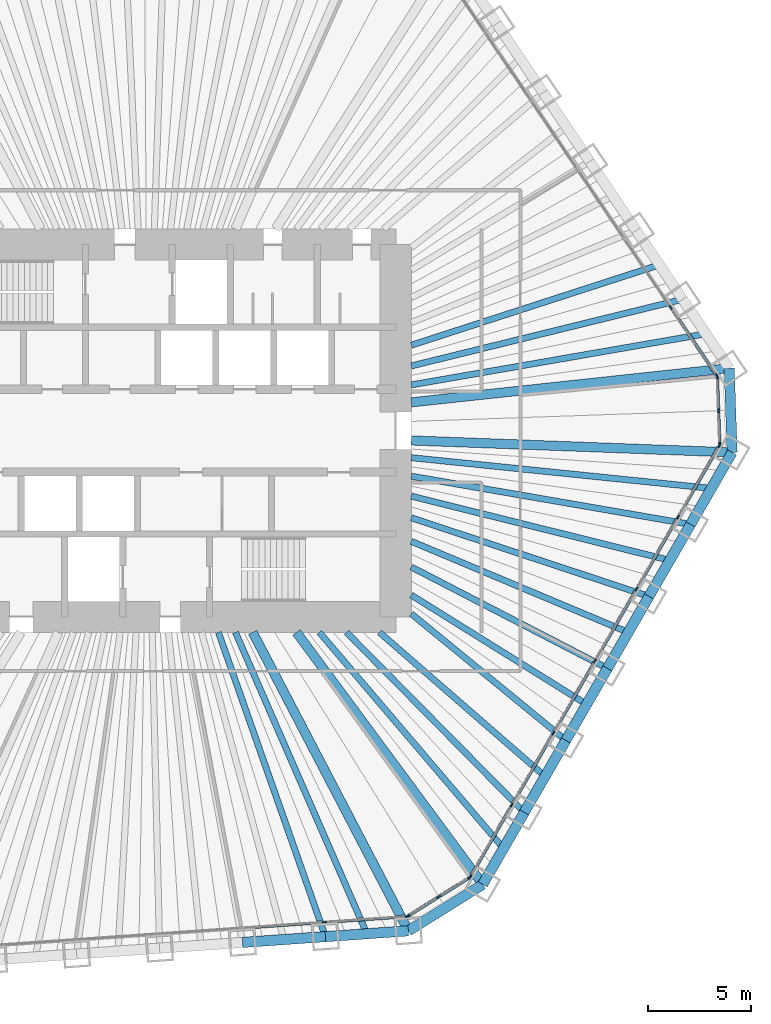
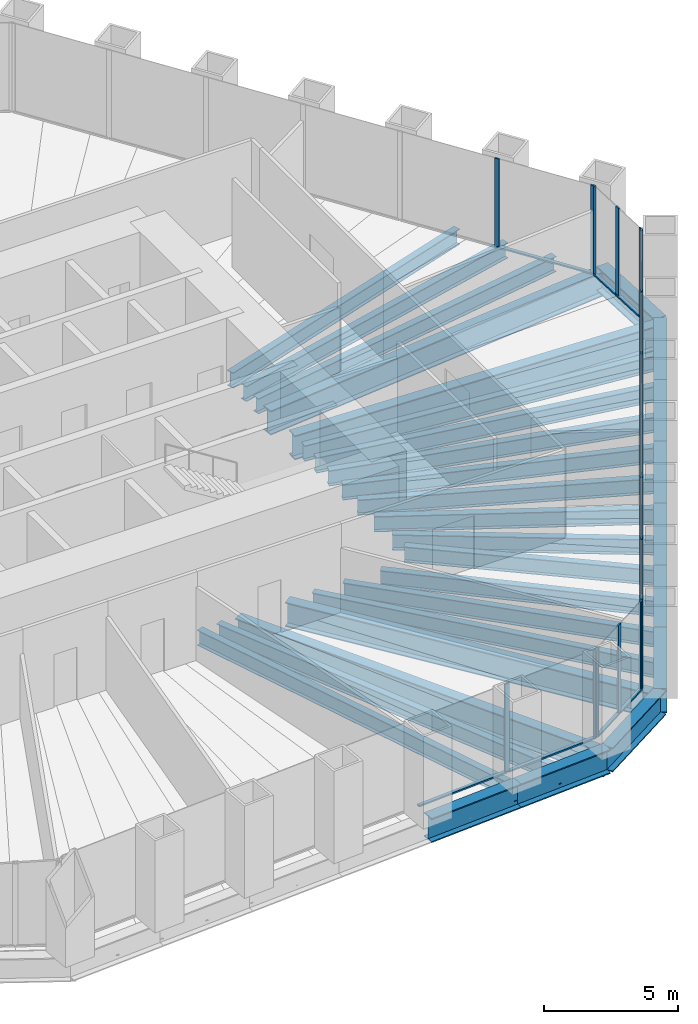
# One storey, part 4 of 13: 30 beams, 30 members, 5 elements without a shape of their own.
"""IFC4 building model written with IfcOpenShell, lengths in metres."""

import ifcopenshell
import ifcopenshell.guid

model = None  # the IFC model being written
_history = None  # IfcOwnerHistory: only IFC2X3 demands one
_inside = {}  # id of a spatial element -> (the spatial element, [elements in it])
_under = {}  # id of a project, library or spatial element -> (it, [spatial elements below it])
_declared = {}  # id of a project -> (the project, [libraries it declares])
_typed = {}  # id of a type object -> (the type object, [elements of that type])
_made_of = {}  # id of a material, layer set ... -> (it, [elements and type objects made of it])


def new_model(schema):
    """Start an empty IFC model of exactly this schema.

    Asked for "IFC4X3", IfcOpenShell would pick the latest addendum, in which some entities
    have other attributes; the version numbers below select the first issue.
    IFC2X3 requires an IfcOwnerHistory on every rooted entity: one is made here for all.
    """
    global model, _history
    if schema == "IFC4X3":
        model = ifcopenshell.file(schema_version=(4, 3, 0, 0))
    else:
        model = ifcopenshell.file(schema=schema)
    _inside.clear()
    _under.clear()
    _declared.clear()
    _typed.clear()
    _made_of.clear()
    _history = None
    if model.schema == "IFC2X3":
        org = make("IfcOrganization", Name="unknown")
        user = make(
            "IfcPersonAndOrganization",
            ThePerson=make("IfcPerson", FamilyName="unknown"),
            TheOrganization=org,
        )
        app = make(
            "IfcApplication",
            ApplicationDeveloper=org,
            Version="unknown",
            ApplicationFullName="unknown",
            ApplicationIdentifier="unknown",
        )
        _history = make(
            "IfcOwnerHistory",
            OwningUser=user,
            OwningApplication=app,
            ChangeAction="ADDED",
            CreationDate=0,
        )
    return model


def make(cls, **values):
    """One entity of the class cls with the attributes given. An attribute that is None is left unset."""
    return model.create_entity(
        cls, **{name: value for name, value in values.items() if value is not None}
    )


def rooted(cls, **values):
    """An entity with a GlobalId (a new one), such as an element, a storey or a relation."""
    return make(cls, GlobalId=ifcopenshell.guid.new(), OwnerHistory=_history, **values)


def si_unit(unit_type, name, prefix=None):
    """IfcSIUnit, for example si_unit("LENGTHUNIT", "METRE", prefix="MILLI")."""
    return make("IfcSIUnit", UnitType=unit_type, Prefix=prefix, Name=name)


def assignment(units):
    """IfcUnitAssignment: the units of a project."""
    return None if units is None else make("IfcUnitAssignment", Units=units)


def point(xyz):
    """IfcCartesianPoint."""
    return None if xyz is None else make("IfcCartesianPoint", Coordinates=xyz)


def direction(xyz):
    """IfcDirection."""
    return None if xyz is None else make("IfcDirection", DirectionRatios=xyz)


def frame(location, z_axis=None, x_axis=None):
    """IfcAxis2Placement3D, a coordinate frame: its origin and axes. An axis left out is left unset."""
    return make(
        "IfcAxis2Placement3D",
        Location=point(location),
        Axis=direction(z_axis),
        RefDirection=direction(x_axis),
    )


def frame_2d(location, x_axis=None):
    """IfcAxis2Placement2D, a coordinate frame in the plane: its origin and x axis."""
    return make(
        "IfcAxis2Placement2D", Location=point(location), RefDirection=direction(x_axis)
    )


def origin():
    """The frame at (0, 0, 0) with its axes left unset."""
    return frame((0.0, 0.0, 0.0))


def origin_2d():
    """The frame at (0, 0) in the plane with its x axis left unset."""
    return frame_2d((0.0, 0.0))


def place(relative_to, where):
    """IfcLocalPlacement: puts the frame where relative to a parent placement (None: the world)."""
    return make(
        "IfcLocalPlacement", PlacementRelTo=relative_to, RelativePlacement=where
    )


def context(
    kind, dimensions, precision=None, world=None, true_north=None, identifier=None
):
    """IfcGeometricRepresentationContext, for example the 3D "Model" context."""
    return make(
        "IfcGeometricRepresentationContext",
        ContextIdentifier=identifier,
        ContextType=kind,
        CoordinateSpaceDimension=dimensions,
        Precision=precision,
        WorldCoordinateSystem=world,
        TrueNorth=true_north,
    )


def subcontext(parent, identifier, kind, view, scale=None):
    """IfcGeometricRepresentationSubContext, for example "Body" below "Model"."""
    return make(
        "IfcGeometricRepresentationSubContext",
        ContextIdentifier=identifier,
        ContextType=kind,
        ParentContext=parent,
        TargetScale=scale,
        TargetView=view,
    )


def project(units=None, contexts=None):
    """IfcProject with its units and contexts."""
    return rooted(
        "IfcProject",
        Name="project",
        RepresentationContexts=contexts,
        UnitsInContext=assignment(units),
    )


def spatial(cls, under=None, at=None, **own):
    """A site, building, storey or space (cls), placed at a placement, below another one or the project."""
    s = rooted(cls, ObjectPlacement=at, **own)
    if under is not None:
        _under.setdefault(under.id(), (under, []))[1].append(s)
    return s


def profile(cls, at=None, kind="AREA", **sizes):
    """A parametric profile (cls). Its sizes go by their IFC names, for example OverallWidth=200.0."""
    return make(cls, ProfileType=kind, Position=at, **sizes)


def rectangle(**sizes):
    """IfcRectangleProfileDef."""
    return profile("IfcRectangleProfileDef", **sizes)


def i_section(**sizes):
    """IfcIShapeProfileDef."""
    return profile("IfcIShapeProfileDef", **sizes)


def extrude(swept, where, along, depth):
    """IfcExtrudedAreaSolid: the profile swept, set in the frame where, extruded along a direction by depth."""
    return make(
        "IfcExtrudedAreaSolid",
        SweptArea=swept,
        Position=where,
        ExtrudedDirection=direction(along),
        Depth=depth,
    )


def shape(context_of_items, identifier, shape_type, items):
    """IfcShapeRepresentation: the items that make up one representation, for example the "Body"."""
    return make(
        "IfcShapeRepresentation",
        ContextOfItems=context_of_items,
        RepresentationIdentifier=identifier,
        RepresentationType=shape_type,
        Items=items,
    )


def material(Name=None, Category=None):
    """IfcMaterial."""
    return make("IfcMaterial", Name=Name, Category=Category)


def material_profile(
    of_material, cross_section, Name=None, Category=None, Priority=None
):
    """IfcMaterialProfile: a cross section and its material."""
    return make(
        "IfcMaterialProfile",
        Name=Name,
        Material=of_material,
        Profile=cross_section,
        Priority=Priority,
        Category=Category,
    )


def profile_set(profiles, Name=None, composite=None):
    """IfcMaterialProfileSet."""
    return make(
        "IfcMaterialProfileSet",
        Name=Name,
        MaterialProfiles=profiles,
        CompositeProfile=composite,
    )


def made_of(thing, what):
    """Note that an element or type object is made of a material, layer set ...; save() writes the relation."""
    if what is not None:
        _made_of.setdefault(what.id(), (what, []))[1].append(thing)
    return thing


def type_object(cls, material=None, **own):
    """A type object (cls), such as IfcWallType, which elements share."""
    return made_of(rooted(cls, **own), material)


def element(
    cls,
    number,
    at=None,
    inside=None,
    cuts=None,
    type_object=None,
    material=None,
    context=None,
    identifier="Body",
    shape_type=None,
    held_by="IfcProductDefinitionShape",
    body=None,
    shapes=None,
    **own,
):
    """One element of the class cls, such as IfcWall. Its Tag is "e" and its number.

    at: its placement. inside: the storey or other place that contains it. cuts: it is an
    opening in that element (IfcRelVoidsElement). A single representation is given by context,
    identifier, shape_type and body (its items); several are given by shapes. held_by: the class
    of the entity that holds the representations. save() writes the other relations.
    """
    e = rooted(cls, Tag="e%d" % number, ObjectPlacement=at, **own)
    if body is not None:
        shapes = [shape(context, identifier, shape_type, body)]
    if shapes is not None:
        e.Representation = make(held_by, Representations=shapes)
    if inside is not None:
        _inside.setdefault(inside.id(), (inside, []))[1].append(e)
    if cuts is not None:
        rooted(
            "IfcRelVoidsElement", RelatingBuildingElement=cuts, RelatedOpeningElement=e
        )
    if type_object is not None:
        _typed.setdefault(type_object.id(), (type_object, []))[1].append(e)
    return made_of(e, material)


def aggregate(whole, parts):
    """IfcRelAggregates: a whole, such as a stair, and the parts it consists of."""
    return rooted("IfcRelAggregates", RelatingObject=whole, RelatedObjects=parts)


def save(model, path):
    """Write the relations noted so far, then the file.

    IfcRelAggregates (storeys below a building ...), IfcRelContainedInSpatialStructure (elements
    in a storey), IfcRelDefinesByType, IfcRelAssociatesMaterial and IfcRelDeclares: one each for
    every whole, place, type object, material and project.
    """
    for whole, parts in _under.values():
        aggregate(whole, parts)
    for where, things in _inside.values():
        rooted(
            "IfcRelContainedInSpatialStructure",
            RelatedElements=things,
            RelatingStructure=where,
        )
    for kind, things in _typed.values():
        rooted("IfcRelDefinesByType", RelatedObjects=things, RelatingType=kind)
    for what, things in _made_of.values():
        rooted("IfcRelAssociatesMaterial", RelatedObjects=things, RelatingMaterial=what)
    for by, libraries in _declared.values():
        rooted("IfcRelDeclares", RelatingContext=by, RelatedDefinitions=libraries)
    model.write(path)


model = new_model("IFC4")

# Units and contexts
model_context = context("Model", 3, precision=1e-05, world=origin(), true_north=direction((0.0, 1.0)))
body_context = subcontext(model_context, "Body", "Model", "MODEL_VIEW")
ifc_project = project(units=[si_unit("LENGTHUNIT", "METRE"), si_unit("AREAUNIT", "SQUARE_METRE"), si_unit("VOLUMEUNIT", "CUBIC_METRE"), si_unit("PLANEANGLEUNIT", "RADIAN"), si_unit("MASSUNIT", "GRAM", prefix="KILO")], contexts=[model_context])

# Site, building, storey
site_placement = place(None, origin())
site = spatial("IfcSite", under=ifc_project, at=site_placement, CompositionType="ELEMENT")
building_placement = place(site_placement, origin())
building = spatial("IfcBuilding", under=site, at=building_placement, Name="Qingtian Harvest Tower", CompositionType="ELEMENT")
storey_placement = place(building_placement, frame((0.0, 0.0, 119.800048828125)))
storey = spatial("IfcBuildingStorey", under=building, at=storey_placement, Name="L24", CompositionType="ELEMENT", Elevation=119.800048828125)

# Beams
ifc_material_1 = material(Name="Steel SM570MC", Category="steel")
ifc_material_profile_1 = material_profile(ifc_material_1, i_section(OverallWidth=0.449951171875, OverallDepth=1.10009765625, WebThickness=0.02197265625, FlangeThickness=0.044921875, at=origin_2d()), Name="H1100x450x22x45")
ifc_profile_set_1 = profile_set([ifc_material_profile_1], Name="Steel SM570MC")
beam_type_1 = type_object("IfcBeamType", Name="Corner floor beam FB8 H1100x450x22x45", PredefinedType="BEAM", material=ifc_profile_set_1)
beam_1_placement = place(storey_placement, frame((28.119384765625, 3.0185546875, -0.719970703125), z_axis=(-0.994287324052, -0.106736672374, 0.0), x_axis=(0.106736672374, -0.994287324052, 0.0)))
element("IfcBeam", 1, at=beam_1_placement, inside=storey, type_object=beam_type_1, Name="Floor beam FB8 NE6", PredefinedType="BEAM", context=body_context, shape_type="SweptSolid", body=[
    extrude(i_section(OverallWidth=0.449951171875, OverallDepth=1.10009765625, WebThickness=0.02197265625, FlangeThickness=0.044921875, at=origin_2d()), origin(), (0.0, 0.0, 1.0), 15.457763671875),
])
beam_2_placement = place(storey_placement, frame((28.261474609375, -1.049560546875, -0.719970703125), z_axis=(-0.999311425285, 0.03710357523, 0.0), x_axis=(-0.03710357523, -0.999311425285, 0.0)))
element("IfcBeam", 2, at=beam_2_placement, inside=storey, type_object=beam_type_1, Name="Floor beam FB8 SE0", PredefinedType="BEAM", context=body_context, shape_type="SweptSolid", body=[
    extrude(i_section(OverallWidth=0.449951171875, OverallDepth=1.10009765625, WebThickness=0.02197265625, FlangeThickness=0.044921875, at=origin_2d()), origin(), (0.0, 0.0, 1.0), 15.522216796875),
])
beam_3_placement = place(storey_placement, frame((16.204345703125, -21.933349609375, -0.719970703125), z_axis=(-0.594215666968, 0.804305751023, 0.0), x_axis=(-0.804305751023, -0.594215666968, 0.0)))
element("IfcBeam", 3, at=beam_3_placement, inside=storey, type_object=beam_type_1, Name="Floor beam FB8 SE6", PredefinedType="BEAM", context=body_context, shape_type="SweptSolid", body=[
    extrude(i_section(OverallWidth=0.449951171875, OverallDepth=1.10009765625, WebThickness=0.02197265625, FlangeThickness=0.044921875, at=origin_2d()), origin(), (0.0, 0.0, 1.0), 15.147705078125),
])
beam_4_placement = place(storey_placement, frame((12.610107421875, -24.17919921875, -0.719970703125), z_axis=(-0.462414751295, 0.886663745613, 0.0), x_axis=(-0.886663745613, -0.462414751295, 0.0)))
element("IfcBeam", 4, at=beam_4_placement, inside=storey, type_object=beam_type_1, Name="Floor beam FB8 S0", PredefinedType="BEAM", context=body_context, shape_type="SweptSolid", body=[
    extrude(i_section(OverallWidth=0.449951171875, OverallDepth=1.10009765625, WebThickness=0.02197265625, FlangeThickness=0.044921875, at=origin_2d()), origin(), (0.0, 0.0, 1.0), 16.273681640625),
])
ifc_material_2 = material(Name="Steel SN490B", Category="steel")
ifc_material_profile_2 = material_profile(ifc_material_2, i_section(OverallWidth=0.300048828125, OverallDepth=0.699951171875, WebThickness=0.012939453125, FlangeThickness=0.02392578125, at=origin_2d()), Name="H700x300x13x24")
ifc_profile_set_2 = profile_set([ifc_material_profile_2], Name="Steel SN490B")
beam_type_2 = type_object("IfcBeamType", Name="Floor beam FB2 H700x300x13x24", PredefinedType="BEAM", material=ifc_profile_set_2)
beam_5_placement = place(storey_placement, frame((25.8720703125, 6.3505859375, -0.52001953125), z_axis=(-0.971170997483, -0.2383839207, 0.0), x_axis=(0.2383839207, -0.971170997483, 0.0)))
element("IfcBeam", 5, at=beam_5_placement, inside=storey, type_object=beam_type_2, Name="Floor beam FB2 NE5", PredefinedType="BEAM", context=body_context, shape_type="SweptSolid", body=[
    extrude(i_section(OverallWidth=0.300048828125, OverallDepth=0.699951171875, WebThickness=0.012939453125, FlangeThickness=0.02392578125, at=origin_2d()), origin(), (0.0, 0.0, 1.0), 13.511474609375),
])
beam_6_placement = place(storey_placement, frame((26.251953125, -4.5302734375, -0.52001953125), z_axis=(-0.985433767107, 0.170059667895, 0.0), x_axis=(-0.170059667895, -0.985433767107, 0.0)))
element("IfcBeam", 6, at=beam_6_placement, inside=storey, type_object=beam_type_2, Name="Floor beam FB2 SE1", PredefinedType="BEAM", context=body_context, shape_type="SweptSolid", body=[
    extrude(i_section(OverallWidth=0.300048828125, OverallDepth=0.699951171875, WebThickness=0.012939453125, FlangeThickness=0.02392578125, at=origin_2d()), origin(), (0.0, 0.0, 1.0), 13.701416015625),
])
beam_7_placement = place(storey_placement, frame((24.242431640625, -8.010986328125, -0.52001953125), z_axis=(-0.949497047328, 0.31377596644, 0.0), x_axis=(-0.31377596644, -0.949497047328, 0.0)))
element("IfcBeam", 7, at=beam_7_placement, inside=storey, type_object=beam_type_2, Name="Floor beam FB2 SE2", PredefinedType="BEAM", context=body_context, shape_type="SweptSolid", body=[
    extrude(i_section(OverallWidth=0.300048828125, OverallDepth=0.699951171875, WebThickness=0.012939453125, FlangeThickness=0.02392578125, at=origin_2d()), origin(), (0.0, 0.0, 1.0), 12.103759765625),
])
beam_8_placement = place(storey_placement, frame((22.23291015625, -11.491455078125, -0.52001953125), z_axis=(-0.888354700773, 0.459157843899, 0.0), x_axis=(-0.459157843899, -0.888354700773, 0.0)))
element("IfcBeam", 8, at=beam_8_placement, inside=storey, type_object=beam_type_2, Name="Floor beam FB2 SE3", PredefinedType="BEAM", context=body_context, shape_type="SweptSolid", body=[
    extrude(i_section(OverallWidth=0.300048828125, OverallDepth=0.699951171875, WebThickness=0.012939453125, FlangeThickness=0.02392578125, at=origin_2d()), origin(), (0.0, 0.0, 1.0), 10.6748046875),
])
beam_9_placement = place(storey_placement, frame((20.223388671875, -14.97216796875, -0.52001953125), z_axis=(-0.773577716445, 0.633701441233, 0.0), x_axis=(-0.633701441233, -0.773577716445, 0.0)))
element("IfcBeam", 9, at=beam_9_placement, inside=storey, type_object=beam_type_2, Name="Floor beam FB2 SE4", PredefinedType="BEAM", context=body_context, shape_type="SweptSolid", body=[
    extrude(i_section(OverallWidth=0.300048828125, OverallDepth=0.699951171875, WebThickness=0.012939453125, FlangeThickness=0.02392578125, at=origin_2d()), origin(), (0.0, 0.0, 1.0), 9.660888671875),
])
beam_10_placement = place(storey_placement, frame((18.2138671875, -18.452880859375, -0.52001953125), z_axis=(-0.702479751847, 0.711703729262, 0.0), x_axis=(-0.711703729262, -0.702479751847, 0.0)))
element("IfcBeam", 10, at=beam_10_placement, inside=storey, type_object=beam_type_2, Name="Floor beam FB2 SE5", PredefinedType="BEAM", context=body_context, shape_type="SweptSolid", body=[
    extrude(i_section(OverallWidth=0.300048828125, OverallDepth=0.699951171875, WebThickness=0.012939453125, FlangeThickness=0.02392578125, at=origin_2d()), origin(), (0.0, 0.0, 1.0), 12.228271484375),
])
beam_11_placement = place(storey_placement, frame((8.600830078125, -24.459716796875, -0.52001953125), z_axis=(-0.331719146802, 0.943378189087, 0.0), x_axis=(-0.943378189087, -0.331719146802, 0.0)))
element("IfcBeam", 11, at=beam_11_placement, inside=storey, type_object=beam_type_2, Name="Floor beam FB2 S1", PredefinedType="BEAM", context=body_context, shape_type="SweptSolid", body=[
    extrude(i_section(OverallWidth=0.300048828125, OverallDepth=0.699951171875, WebThickness=0.012939453125, FlangeThickness=0.02392578125, at=origin_2d()), origin(), (0.0, 0.0, 1.0), 15.592529296875),
])
ifc_material_3 = material(Name="Steel SN490B", Category="steel")
ifc_material_profile_3 = material_profile(ifc_material_3, i_section(OverallWidth=0.300048828125, OverallDepth=0.699951171875, WebThickness=0.012939453125, FlangeThickness=0.02392578125, at=origin_2d()), Name="H700x300x13x24")
ifc_profile_set_3 = profile_set([ifc_material_profile_3], Name="Steel SN490B")
beam_type_3 = type_object("IfcBeamType", Name="Floor joist J2 H700x300x13x24", PredefinedType="JOIST", material=ifc_profile_set_3)
beam_12_placement = place(storey_placement, frame((24.748291015625, 8.016357421875, -0.52001953125), z_axis=(-0.951335907519, -0.308155790249, 0.0), x_axis=(0.308155790249, -0.951335907519, 0.0)))
element("IfcBeam", 12, at=beam_12_placement, inside=storey, type_object=beam_type_3, Name="Floor joist J2 NE4", PredefinedType="JOIST", context=body_context, shape_type="SweptSolid", body=[
    extrude(i_section(OverallWidth=0.300048828125, OverallDepth=0.699951171875, WebThickness=0.012939453125, FlangeThickness=0.02392578125, at=origin_2d()), origin(), (0.0, 0.0, 1.0), 12.612060546875),
])
beam_13_placement = place(storey_placement, frame((26.99560546875, 4.6845703125, -0.52001953125), z_axis=(-0.985273903188, -0.17098343691, 0.0), x_axis=(0.17098343691, -0.985273903188, 0.0)))
element("IfcBeam", 13, at=beam_13_placement, inside=storey, type_object=beam_type_3, Name="Floor joist J2 NE5", PredefinedType="JOIST", context=body_context, shape_type="SweptSolid", body=[
    extrude(i_section(OverallWidth=0.300048828125, OverallDepth=0.699951171875, WebThickness=0.012939453125, FlangeThickness=0.02392578125, at=origin_2d()), origin(), (0.0, 0.0, 1.0), 14.45849609375),
])
beam_14_placement = place(storey_placement, frame((27.2568359375, -2.7900390625, -0.52001953125), z_axis=(-0.994802418411, 0.101824104826, 0.0), x_axis=(-0.101824104826, -0.994802418411, 0.0)))
element("IfcBeam", 14, at=beam_14_placement, inside=storey, type_object=beam_type_3, Name="Floor joist J2 SE0", PredefinedType="JOIST", context=body_context, shape_type="SweptSolid", body=[
    extrude(i_section(OverallWidth=0.300048828125, OverallDepth=0.699951171875, WebThickness=0.012939453125, FlangeThickness=0.02392578125, at=origin_2d()), origin(), (0.0, 0.0, 1.0), 14.58251953125),
])
beam_15_placement = place(storey_placement, frame((25.247314453125, -6.2705078125, -0.52001953125), z_axis=(-0.970517179244, 0.241031958032, 0.0), x_axis=(-0.241031958032, -0.970517179244, 0.0)))
element("IfcBeam", 15, at=beam_15_placement, inside=storey, type_object=beam_type_3, Name="Floor joist J2 SE1", PredefinedType="JOIST", context=body_context, shape_type="SweptSolid", body=[
    extrude(i_section(OverallWidth=0.300048828125, OverallDepth=0.699951171875, WebThickness=0.012939453125, FlangeThickness=0.02392578125, at=origin_2d()), origin(), (0.0, 0.0, 1.0), 12.876953125),
])
beam_16_placement = place(storey_placement, frame((23.237548828125, -9.751220703125, -0.52001953125), z_axis=(-0.922104219626, 0.386941608189, 0.0), x_axis=(-0.386941608189, -0.922104219626, 0.0)))
element("IfcBeam", 16, at=beam_16_placement, inside=storey, type_object=beam_type_3, Name="Floor joist J2 SE2", PredefinedType="JOIST", context=body_context, shape_type="SweptSolid", body=[
    extrude(i_section(OverallWidth=0.300048828125, OverallDepth=0.699951171875, WebThickness=0.012939453125, FlangeThickness=0.02392578125, at=origin_2d()), origin(), (0.0, 0.0, 1.0), 11.37353515625),
])
beam_17_placement = place(storey_placement, frame((21.22802734375, -13.23193359375, -0.52001953125), z_axis=(-0.848631984892, 0.528983699389, 0.0), x_axis=(-0.528983699389, -0.848631984892, 0.0)))
element("IfcBeam", 17, at=beam_17_placement, inside=storey, type_object=beam_type_3, Name="Floor joist J2 SE3", PredefinedType="JOIST", context=body_context, shape_type="SweptSolid", body=[
    extrude(i_section(OverallWidth=0.300048828125, OverallDepth=0.699951171875, WebThickness=0.012939453125, FlangeThickness=0.02392578125, at=origin_2d()), origin(), (0.0, 0.0, 1.0), 9.990234375),
])
beam_18_placement = place(storey_placement, frame((19.218505859375, -16.71240234375, -0.52001953125), z_axis=(-0.754588679317, 0.656198083697, 0.0), x_axis=(-0.656198083697, -0.754588679317, 0.0)))
element("IfcBeam", 18, at=beam_18_placement, inside=storey, type_object=beam_type_3, Name="Floor joist J2 SE4", PredefinedType="JOIST", context=body_context, shape_type="SweptSolid", body=[
    extrude(i_section(OverallWidth=0.300048828125, OverallDepth=0.699951171875, WebThickness=0.012939453125, FlangeThickness=0.02392578125, at=origin_2d()), origin(), (0.0, 0.0, 1.0), 10.610107421875),
])
beam_19_placement = place(storey_placement, frame((17.208984375, -20.193115234375, -0.52001953125), z_axis=(-0.648631797865, 0.76110235238, 0.0), x_axis=(-0.76110235238, -0.648631797865, 0.0)))
element("IfcBeam", 19, at=beam_19_placement, inside=storey, type_object=beam_type_3, Name="Floor joist J2 SE5", PredefinedType="JOIST", context=body_context, shape_type="SweptSolid", body=[
    extrude(i_section(OverallWidth=0.300048828125, OverallDepth=0.699951171875, WebThickness=0.012939453125, FlangeThickness=0.02392578125, at=origin_2d()), origin(), (0.0, 0.0, 1.0), 13.720947265625),
])
beam_20_placement = place(storey_placement, frame((10.60546875, -24.3193359375, -0.52001953125), z_axis=(-0.399732363577, 0.916631898588, 0.0), x_axis=(-0.916631898588, -0.399732363577, 0.0)))
element("IfcBeam", 20, at=beam_20_placement, inside=storey, type_object=beam_type_3, Name="Floor joist J2 S0", PredefinedType="JOIST", context=body_context, shape_type="SweptSolid", body=[
    extrude(i_section(OverallWidth=0.300048828125, OverallDepth=0.699951171875, WebThickness=0.012939453125, FlangeThickness=0.02392578125, at=origin_2d()), origin(), (0.0, 0.0, 1.0), 15.89453125),
])

# Curtain wall, members
ifc_material_4 = material(Name="Bronze-anodised aluminium curtain wall", Category="aluminium")
curtain_wall_type = type_object("IfcCurtainWallType", Name="Curtain wall CW4 office", PredefinedType="USERDEFINED", material=ifc_material_4)
curtain_wall_1_placement = place(storey_placement, origin())
curtain_wall_1 = element("IfcCurtainWall", 21, at=curtain_wall_1_placement, inside=storey, type_object=curtain_wall_type, Name="Curtain wall CW4 L24 NE0-5", ObjectType="RECESSED CURTAIN WALL", PredefinedType="USERDEFINED")
ifc_material_5 = material(Name="Bronze-anodised aluminium mullion", Category="aluminium")
ifc_material_profile_4 = material_profile(ifc_material_5, rectangle(XDim=0.06494140625, YDim=0.199951171875, at=origin_2d()), Name="AL 65x200")
ifc_profile_set_4 = profile_set([ifc_material_profile_4], Name="Bronze-anodised aluminium mullion")
member_type_1 = type_object("IfcMemberType", Name="Mullion CWM 65x200", PredefinedType="MULLION", material=ifc_profile_set_4)
member_1_placement = place(storey_placement, frame((25.291748046875, 5.958984375, 0.0), z_axis=(0.0, 0.0, 1.0), x_axis=(0.829037572555, 0.559192903471, 0.0)))
member_1 = element("IfcMember", 22, at=member_1_placement, type_object=member_type_1, Name="CW4 mullion 6", PredefinedType="MULLION", context=body_context, shape_type="SweptSolid", body=[
    extrude(rectangle(XDim=0.06494140625, YDim=0.199951171875, at=origin_2d()), origin(), (0.0, 0.0, 1.0), 4.030029296875),
])
member_2_placement = place(storey_placement, frame((27.52099609375, 2.654052734375, 0.0), z_axis=(0.0, 0.0, 1.0), x_axis=(0.829037572555, 0.559192903471, 0.0)))
member_2 = element("IfcMember", 23, at=member_2_placement, type_object=member_type_1, Name="CW4 mullion 7", PredefinedType="MULLION", context=body_context, shape_type="SweptSolid", body=[
    extrude(rectangle(XDim=0.06494140625, YDim=0.199951171875, at=origin_2d()), origin(), (0.0, 0.0, 1.0), 4.030029296875),
])

curtain_wall_2_placement = place(storey_placement, origin())
curtain_wall_2 = element("IfcCurtainWall", 24, at=curtain_wall_2_placement, inside=storey, type_object=curtain_wall_type, Name="Curtain wall CW4 L24 NEC", ObjectType="RECESSED CURTAIN WALL", PredefinedType="USERDEFINED")
member_3_placement = place(storey_placement, frame((27.540283203125, 2.594482421875, 0.0), z_axis=(0.0, 0.0, 1.0), x_axis=(0.999390827019, 0.034899496703, 0.0)))
member_3 = element("IfcMember", 25, at=member_3_placement, type_object=member_type_1, Name="CW4 mullion 1", PredefinedType="MULLION", context=body_context, shape_type="SweptSolid", body=[
    extrude(rectangle(XDim=0.06494140625, YDim=0.199951171875, at=origin_2d()), origin(), (0.0, 0.0, 1.0), 4.030029296875),
])
member_4_placement = place(storey_placement, frame((27.59716796875, 0.963623046875, 0.0), z_axis=(0.0, 0.0, 1.0), x_axis=(0.999390827019, 0.034899496703, 0.0)))
member_4 = element("IfcMember", 26, at=member_4_placement, type_object=member_type_1, Name="CW4 mullion 2", PredefinedType="MULLION", context=body_context, shape_type="SweptSolid", body=[
    extrude(rectangle(XDim=0.06494140625, YDim=0.199951171875, at=origin_2d()), origin(), (0.0, 0.0, 1.0), 4.030029296875),
])
member_5_placement = place(storey_placement, frame((27.654052734375, -0.667236328125, 0.0), z_axis=(0.0, 0.0, 1.0), x_axis=(0.999390827019, 0.034899496703, 0.0)))
member_5 = element("IfcMember", 27, at=member_5_placement, type_object=member_type_1, Name="CW4 mullion 3", PredefinedType="MULLION", context=body_context, shape_type="SweptSolid", body=[
    extrude(rectangle(XDim=0.06494140625, YDim=0.199951171875, at=origin_2d()), origin(), (0.0, 0.0, 1.0), 4.030029296875),
])

curtain_wall_3_placement = place(storey_placement, origin())
curtain_wall_3 = element("IfcCurtainWall", 28, at=curtain_wall_3_placement, inside=storey, type_object=curtain_wall_type, Name="Curtain wall CW4 L24 SE0-5", ObjectType="RECESSED CURTAIN WALL", PredefinedType="USERDEFINED")
member_6_placement = place(storey_placement, frame((27.638916015625, -0.727783203125, 0.0), z_axis=(0.0, 0.0, 1.0), x_axis=(0.866025403784, -0.5, 0.0)))
member_6 = element("IfcMember", 29, at=member_6_placement, type_object=member_type_1, Name="CW4 mullion 1", PredefinedType="MULLION", context=body_context, shape_type="SweptSolid", body=[
    extrude(rectangle(XDim=0.06494140625, YDim=0.199951171875, at=origin_2d()), origin(), (0.0, 0.0, 1.0), 4.030029296875),
])
member_7_placement = place(storey_placement, frame((25.645751953125, -4.18017578125, 0.0), z_axis=(0.0, 0.0, 1.0), x_axis=(0.866025403784, -0.5, 0.0)))
member_7 = element("IfcMember", 30, at=member_7_placement, type_object=member_type_1, Name="CW4 mullion 2", PredefinedType="MULLION", context=body_context, shape_type="SweptSolid", body=[
    extrude(rectangle(XDim=0.06494140625, YDim=0.199951171875, at=origin_2d()), origin(), (0.0, 0.0, 1.0), 4.030029296875),
])
member_8_placement = place(storey_placement, frame((23.63623046875, -7.660888671875, 0.0), z_axis=(0.0, 0.0, 1.0), x_axis=(0.866025403784, -0.5, 0.0)))
member_8 = element("IfcMember", 31, at=member_8_placement, type_object=member_type_1, Name="CW4 mullion 3", PredefinedType="MULLION", context=body_context, shape_type="SweptSolid", body=[
    extrude(rectangle(XDim=0.06494140625, YDim=0.199951171875, at=origin_2d()), origin(), (0.0, 0.0, 1.0), 4.030029296875),
])
member_9_placement = place(storey_placement, frame((21.626708984375, -11.1416015625, 0.0), z_axis=(0.0, 0.0, 1.0), x_axis=(0.866025403784, -0.5, 0.0)))
member_9 = element("IfcMember", 32, at=member_9_placement, type_object=member_type_1, Name="CW4 mullion 4", PredefinedType="MULLION", context=body_context, shape_type="SweptSolid", body=[
    extrude(rectangle(XDim=0.06494140625, YDim=0.199951171875, at=origin_2d()), origin(), (0.0, 0.0, 1.0), 4.030029296875),
])
member_10_placement = place(storey_placement, frame((19.6171875, -14.6220703125, 0.0), z_axis=(0.0, 0.0, 1.0), x_axis=(0.866025403784, -0.5, 0.0)))
member_10 = element("IfcMember", 33, at=member_10_placement, type_object=member_type_1, Name="CW4 mullion 5", PredefinedType="MULLION", context=body_context, shape_type="SweptSolid", body=[
    extrude(rectangle(XDim=0.06494140625, YDim=0.199951171875, at=origin_2d()), origin(), (0.0, 0.0, 1.0), 4.030029296875),
])
member_11_placement = place(storey_placement, frame((17.607666015625, -18.102783203125, 0.0), z_axis=(0.0, 0.0, 1.0), x_axis=(0.866025403784, -0.5, 0.0)))
member_11 = element("IfcMember", 34, at=member_11_placement, type_object=member_type_1, Name="CW4 mullion 6", PredefinedType="MULLION", context=body_context, shape_type="SweptSolid", body=[
    extrude(rectangle(XDim=0.06494140625, YDim=0.199951171875, at=origin_2d()), origin(), (0.0, 0.0, 1.0), 4.030029296875),
])
member_12_placement = place(storey_placement, frame((15.6142578125, -21.55517578125, 0.0), z_axis=(0.0, 0.0, 1.0), x_axis=(0.866025403784, -0.5, 0.0)))
member_12 = element("IfcMember", 35, at=member_12_placement, type_object=member_type_1, Name="CW4 mullion 7", PredefinedType="MULLION", context=body_context, shape_type="SweptSolid", body=[
    extrude(rectangle(XDim=0.06494140625, YDim=0.199951171875, at=origin_2d()), origin(), (0.0, 0.0, 1.0), 4.030029296875),
])

curtain_wall_4_placement = place(storey_placement, origin())
curtain_wall_4 = element("IfcCurtainWall", 36, at=curtain_wall_4_placement, inside=storey, type_object=curtain_wall_type, Name="Curtain wall CW4 L24 SEC", ObjectType="RECESSED CURTAIN WALL", PredefinedType="USERDEFINED")
member_13_placement = place(storey_placement, frame((15.570556640625, -21.6005859375, 0.0), z_axis=(0.0, 0.0, 1.0), x_axis=(0.529919264233, -0.848048096156, 0.0)))
member_13 = element("IfcMember", 37, at=member_13_placement, type_object=member_type_1, Name="CW4 mullion 1", PredefinedType="MULLION", context=body_context, shape_type="SweptSolid", body=[
    extrude(rectangle(XDim=0.06494140625, YDim=0.199951171875, at=origin_2d()), origin(), (0.0, 0.0, 1.0), 4.030029296875),
])
member_14_placement = place(storey_placement, frame((14.07958984375, -22.5322265625, 0.0), z_axis=(0.0, 0.0, 1.0), x_axis=(0.529919264233, -0.848048096156, 0.0)))
member_14 = element("IfcMember", 38, at=member_14_placement, type_object=member_type_1, Name="CW4 mullion 2", PredefinedType="MULLION", context=body_context, shape_type="SweptSolid", body=[
    extrude(rectangle(XDim=0.06494140625, YDim=0.199951171875, at=origin_2d()), origin(), (0.0, 0.0, 1.0), 4.030029296875),
])
member_15_placement = place(storey_placement, frame((12.5888671875, -23.4638671875, 0.0), z_axis=(0.0, 0.0, 1.0), x_axis=(0.529919264233, -0.848048096156, 0.0)))
member_15 = element("IfcMember", 39, at=member_15_placement, type_object=member_type_1, Name="CW4 mullion 3", PredefinedType="MULLION", context=body_context, shape_type="SweptSolid", body=[
    extrude(rectangle(XDim=0.06494140625, YDim=0.199951171875, at=origin_2d()), origin(), (0.0, 0.0, 1.0), 4.030029296875),
])

curtain_wall_5_placement = place(storey_placement, origin())
curtain_wall_5 = element("IfcCurtainWall", 40, at=curtain_wall_5_placement, inside=storey, type_object=curtain_wall_type, Name="Curtain wall CW4 L24 S0-5", ObjectType="RECESSED CURTAIN WALL", PredefinedType="USERDEFINED")
member_16_placement = place(storey_placement, frame((12.52880859375, -23.483154296875, 0.0), z_axis=(0.0, 0.0, 1.0), x_axis=(0.069756473744, -0.99756405026, 0.0)))
member_16 = element("IfcMember", 41, at=member_16_placement, type_object=member_type_1, Name="CW4 mullion 1", PredefinedType="MULLION", context=body_context, shape_type="SweptSolid", body=[
    extrude(rectangle(XDim=0.06494140625, YDim=0.199951171875, at=origin_2d()), origin(), (0.0, 0.0, 1.0), 4.030029296875),
])
member_17_placement = place(storey_placement, frame((8.552001953125, -23.76123046875, 0.0), z_axis=(0.0, 0.0, 1.0), x_axis=(0.069756473744, -0.99756405026, 0.0)))
member_17 = element("IfcMember", 42, at=member_17_placement, type_object=member_type_1, Name="CW4 mullion 2", PredefinedType="MULLION", context=body_context, shape_type="SweptSolid", body=[
    extrude(rectangle(XDim=0.06494140625, YDim=0.199951171875, at=origin_2d()), origin(), (0.0, 0.0, 1.0), 4.030029296875),
])

# Beams
ifc_material_6 = material(Name="Steel SM570MC", Category="steel")
ifc_material_profile_5 = material_profile(ifc_material_6, i_section(OverallWidth=0.5, OverallDepth=1.10009765625, WebThickness=0.02490234375, FlangeThickness=0.050048828125, at=origin_2d()), Name="H1100x500x25x50")
ifc_profile_set_5 = profile_set([ifc_material_profile_5], Name="Steel SM570MC")
beam_type_4 = type_object("IfcBeamType", Name="Spandrel beam SB2 H1100x500x25x50", PredefinedType="SPANDREL", material=ifc_profile_set_5)
beam_21_placement = place(storey_placement, frame((28.119384765625, 3.0185546875, -0.550048828125), z_axis=(0.03490639867, -0.999390585973, 0.0), x_axis=(0.999390585973, 0.03490639867, 0.0)))
element("IfcBeam", 43, at=beam_21_placement, inside=storey, type_object=beam_type_4, Name="Spandrel SB2 NEC", PredefinedType="SPANDREL", context=body_context, shape_type="SweptSolid", body=[
    extrude(i_section(OverallWidth=0.5, OverallDepth=1.10009765625, WebThickness=0.02490234375, FlangeThickness=0.050048828125, at=origin_2d()), origin(), (0.0, 0.0, 1.0), 4.070556640625),
])
for number, where, z_axis, x_axis, name in (
    (44, (28.261474609375, -1.049560546875, -0.550048828125), (-0.499987116613, -0.866032841884, 0.0), (0.866032841884, -0.499987116613, 0.0), "Spandrel SB2 SE0"),
    (45, (26.251953125, -4.5302734375, -0.550048828125), (-0.499987116613, -0.866032841884, 0.0), (0.866032841884, -0.499987116613, 0.0), "Spandrel SB2 SE1"),
    (46, (24.242431640625, -8.010986328125, -0.550048828125), (-0.500013420409, -0.866017655369, 0.0), (0.866017655369, -0.500013420409, 0.0), "Spandrel SB2 SE2"),
    (47, (22.23291015625, -11.491455078125, -0.550048828125), (-0.499987116613, -0.866032841884, 0.0), (0.866032841884, -0.499987116613, 0.0), "Spandrel SB2 SE3"),
    (48, (20.223388671875, -14.97216796875, -0.550048828125), (-0.499987116613, -0.866032841884, 0.0), (0.866032841884, -0.499987116613, 0.0), "Spandrel SB2 SE4"),
    (49, (18.2138671875, -18.452880859375, -0.550048828125), (-0.500013420409, -0.866017655369, 0.0), (0.866017655369, -0.500013420409, 0.0), "Spandrel SB2 SE5"),
):
    element("IfcBeam", number, at=place(storey_placement, frame(where, z_axis=z_axis, x_axis=x_axis)), inside=storey, type_object=beam_type_4, Name=name, PredefinedType="SPANDREL", context=body_context, shape_type="SweptSolid", body=[
        extrude(i_section(OverallWidth=0.5, OverallDepth=1.10009765625, WebThickness=0.02490234375, FlangeThickness=0.050048828125, at=origin_2d()), origin(), (0.0, 0.0, 1.0), 4.01904296875),
    ])
beam_22_placement = place(storey_placement, frame((16.204345703125, -21.933349609375, -0.550048828125), z_axis=(-0.848056550838, -0.529905733675, 0.0), x_axis=(0.529905733675, -0.848056550838, 0.0)))
element("IfcBeam", 50, at=beam_22_placement, inside=storey, type_object=beam_type_4, Name="Spandrel SB2 SEC", PredefinedType="SPANDREL", context=body_context, shape_type="SweptSolid", body=[
    extrude(i_section(OverallWidth=0.5, OverallDepth=1.10009765625, WebThickness=0.02490234375, FlangeThickness=0.050048828125, at=origin_2d()), origin(), (0.0, 0.0, 1.0), 4.23828125),
])
for number, where, z_axis, x_axis, name in (
    (51, (12.610107421875, -24.17919921875, -0.550048828125), (-0.997561251588, -0.069796485086, 0.0), (0.069796485086, -0.997561251588, 0.0), "Spandrel SB2 S0"),
    (52, (8.600830078125, -24.459716796875, -0.550048828125), (-0.997565479251, -0.069736035208, 0.0), (0.069736035208, -0.997565479251, 0.0), "Spandrel SB2 S1"),
):
    element("IfcBeam", number, at=place(storey_placement, frame(where, z_axis=z_axis, x_axis=x_axis)), inside=storey, type_object=beam_type_4, Name=name, PredefinedType="SPANDREL", context=body_context, shape_type="SweptSolid", body=[
        extrude(i_section(OverallWidth=0.5, OverallDepth=1.10009765625, WebThickness=0.02490234375, FlangeThickness=0.050048828125, at=origin_2d()), origin(), (0.0, 0.0, 1.0), 4.01904296875),
    ])

# Member
ifc_material_7 = material(Name="Bronze-anodised aluminium transom", Category="aluminium")
ifc_material_profile_6 = material_profile(ifc_material_7, rectangle(XDim=0.14990234375, YDim=0.06494140625, at=origin_2d()), Name="AL 65x150")
ifc_profile_set_6 = profile_set([ifc_material_profile_6], Name="Bronze-anodised aluminium transom")
member_type_2 = type_object("IfcMemberType", Name="Transom CWT 65x150", PredefinedType="USERDEFINED", material=ifc_profile_set_6)
member_18_placement = place(storey_placement, frame((25.309814453125, 5.93212890625, 0.032470703125), z_axis=(0.559174507936, -0.829049980203, 0.0), x_axis=(0.829049980203, 0.559174507936, 0.0)))
member_18 = element("IfcMember", 53, at=member_18_placement, type_object=member_type_2, Name="CW4 transom 6.1", ObjectType="TRANSOM", PredefinedType="USERDEFINED", context=body_context, shape_type="SweptSolid", body=[
    extrude(rectangle(XDim=0.14990234375, YDim=0.06494140625, at=origin_2d()), origin(), (0.0, 0.0, 1.0), 3.921630859375),
])

aggregate(curtain_wall_1, [member_1, member_2, member_18])

member_19_placement = place(storey_placement, frame((27.541259765625, 2.56201171875, 0.032470703125), z_axis=(0.034902326647, -0.999390728191, 0.0), x_axis=(0.999390728191, 0.034902326647, 0.0)))
member_19 = element("IfcMember", 54, at=member_19_placement, type_object=member_type_2, Name="CW4 transom 1.1", ObjectType="TRANSOM", PredefinedType="USERDEFINED", context=body_context, shape_type="SweptSolid", body=[
    extrude(rectangle(XDim=0.14990234375, YDim=0.06494140625, at=origin_2d()), origin(), (0.0, 0.0, 1.0), 1.56689453125),
])

member_20_placement = place(storey_placement, frame((27.598388671875, 0.93115234375, 0.032470703125), z_axis=(0.034902326647, -0.999390728191, 0.0), x_axis=(0.999390728191, 0.034902326647, 0.0)))
member_20 = element("IfcMember", 55, at=member_20_placement, type_object=member_type_2, Name="CW4 transom 2.1", ObjectType="TRANSOM", PredefinedType="USERDEFINED", context=body_context, shape_type="SweptSolid", body=[
    extrude(rectangle(XDim=0.14990234375, YDim=0.06494140625, at=origin_2d()), origin(), (0.0, 0.0, 1.0), 1.56689453125),
])

aggregate(curtain_wall_2, [member_3, member_4, member_5, member_19, member_20])

member_21_placement = place(storey_placement, frame((27.622802734375, -0.755859375, 0.032470703125), z_axis=(-0.499975738995, -0.866039410429, 0.0), x_axis=(0.866039410429, -0.499975738995, 0.0)))
member_21 = element("IfcMember", 56, at=member_21_placement, type_object=member_type_2, Name="CW4 transom 1.1", ObjectType="TRANSOM", PredefinedType="USERDEFINED", context=body_context, shape_type="SweptSolid", body=[
    extrude(rectangle(XDim=0.14990234375, YDim=0.06494140625, at=origin_2d()), origin(), (0.0, 0.0, 1.0), 3.921630859375),
])

member_22_placement = place(storey_placement, frame((25.62939453125, -4.20849609375, 0.032470703125), z_axis=(-0.500003941941, -0.866023127892, 0.0), x_axis=(0.866023127892, -0.500003941941, 0.0)))
member_22 = element("IfcMember", 57, at=member_22_placement, type_object=member_type_2, Name="CW4 transom 2.1", ObjectType="TRANSOM", PredefinedType="USERDEFINED", context=body_context, shape_type="SweptSolid", body=[
    extrude(rectangle(XDim=0.14990234375, YDim=0.06494140625, at=origin_2d()), origin(), (0.0, 0.0, 1.0), 3.9541015625),
])

member_23_placement = place(storey_placement, frame((23.619873046875, -7.68896484375, 0.032470703125), z_axis=(-0.500003941941, -0.866023127892, 0.0), x_axis=(0.866023127892, -0.500003941941, 0.0)))
member_23 = element("IfcMember", 58, at=member_23_placement, type_object=member_type_2, Name="CW4 transom 3.1", ObjectType="TRANSOM", PredefinedType="USERDEFINED", context=body_context, shape_type="SweptSolid", body=[
    extrude(rectangle(XDim=0.14990234375, YDim=0.06494140625, at=origin_2d()), origin(), (0.0, 0.0, 1.0), 3.9541015625),
])

member_24_placement = place(storey_placement, frame((21.6103515625, -11.169677734375, 0.032470703125), z_axis=(-0.500003941941, -0.866023127892, 0.0), x_axis=(0.866023127892, -0.500003941941, 0.0)))
member_24 = element("IfcMember", 59, at=member_24_placement, type_object=member_type_2, Name="CW4 transom 4.1", ObjectType="TRANSOM", PredefinedType="USERDEFINED", context=body_context, shape_type="SweptSolid", body=[
    extrude(rectangle(XDim=0.14990234375, YDim=0.06494140625, at=origin_2d()), origin(), (0.0, 0.0, 1.0), 3.9541015625),
])

member_25_placement = place(storey_placement, frame((19.600830078125, -14.650390625, 0.032470703125), z_axis=(-0.500003941941, -0.866023127892, 0.0), x_axis=(0.866023127892, -0.500003941941, 0.0)))
member_25 = element("IfcMember", 60, at=member_25_placement, type_object=member_type_2, Name="CW4 transom 5.1", ObjectType="TRANSOM", PredefinedType="USERDEFINED", context=body_context, shape_type="SweptSolid", body=[
    extrude(rectangle(XDim=0.14990234375, YDim=0.06494140625, at=origin_2d()), origin(), (0.0, 0.0, 1.0), 3.9541015625),
])

member_26_placement = place(storey_placement, frame((17.59130859375, -18.130859375, 0.032470703125), z_axis=(-0.499975738995, -0.866039410429, 0.0), x_axis=(0.866039410429, -0.499975738995, 0.0)))
member_26 = element("IfcMember", 61, at=member_26_placement, type_object=member_type_2, Name="CW4 transom 6.1", ObjectType="TRANSOM", PredefinedType="USERDEFINED", context=body_context, shape_type="SweptSolid", body=[
    extrude(rectangle(XDim=0.14990234375, YDim=0.06494140625, at=origin_2d()), origin(), (0.0, 0.0, 1.0), 3.921630859375),
])

aggregate(curtain_wall_3, [member_6, member_7, member_8, member_9, member_10, member_11, member_12, member_21, member_22, member_23, member_24, member_25, member_26])

member_27_placement = place(storey_placement, frame((15.54296875, -21.617919921875, 0.032470703125), z_axis=(-0.848103609743, -0.529830413568, 0.0), x_axis=(0.529830413568, -0.848103609743, 0.0)))
member_27 = element("IfcMember", 62, at=member_27_placement, type_object=member_type_2, Name="CW4 transom 1.1", ObjectType="TRANSOM", PredefinedType="USERDEFINED", context=body_context, shape_type="SweptSolid", body=[
    extrude(rectangle(XDim=0.14990234375, YDim=0.06494140625, at=origin_2d()), origin(), (0.0, 0.0, 1.0), 1.69287109375),
])

member_28_placement = place(storey_placement, frame((14.052001953125, -22.54931640625, 0.032470703125), z_axis=(-0.847998304005, -0.529998940003, 0.0), x_axis=(0.529998940003, -0.847998304005, 0.0)))
member_28 = element("IfcMember", 63, at=member_28_placement, type_object=member_type_2, Name="CW4 transom 2.1", ObjectType="TRANSOM", PredefinedType="USERDEFINED", context=body_context, shape_type="SweptSolid", body=[
    extrude(rectangle(XDim=0.14990234375, YDim=0.06494140625, at=origin_2d()), origin(), (0.0, 0.0, 1.0), 1.69287109375),
])

aggregate(curtain_wall_4, [member_13, member_14, member_15, member_27, member_28])

member_29_placement = place(storey_placement, frame((12.496337890625, -23.485595703125, 0.032470703125), z_axis=(-0.99756594446, -0.069729380128, 0.0), x_axis=(0.069729380128, -0.99756594446, 0.0)))
member_29 = element("IfcMember", 64, at=member_29_placement, type_object=member_type_2, Name="CW4 transom 1.1", ObjectType="TRANSOM", PredefinedType="USERDEFINED", context=body_context, shape_type="SweptSolid", body=[
    extrude(rectangle(XDim=0.14990234375, YDim=0.06494140625, at=origin_2d()), origin(), (0.0, 0.0, 1.0), 3.92138671875),
])

member_30_placement = place(storey_placement, frame((8.51953125, -23.763671875, 0.032470703125), z_axis=(-0.997567218353, -0.069711153102, 0.0), x_axis=(0.069711153102, -0.997567218353, 0.0)))
member_30 = element("IfcMember", 65, at=member_30_placement, type_object=member_type_2, Name="CW4 transom 2.1", ObjectType="TRANSOM", PredefinedType="USERDEFINED", context=body_context, shape_type="SweptSolid", body=[
    extrude(rectangle(XDim=0.14990234375, YDim=0.06494140625, at=origin_2d()), origin(), (0.0, 0.0, 1.0), 3.953857421875),
])

aggregate(curtain_wall_5, [member_16, member_17, member_29, member_30])

save(model, "model.ifc")
